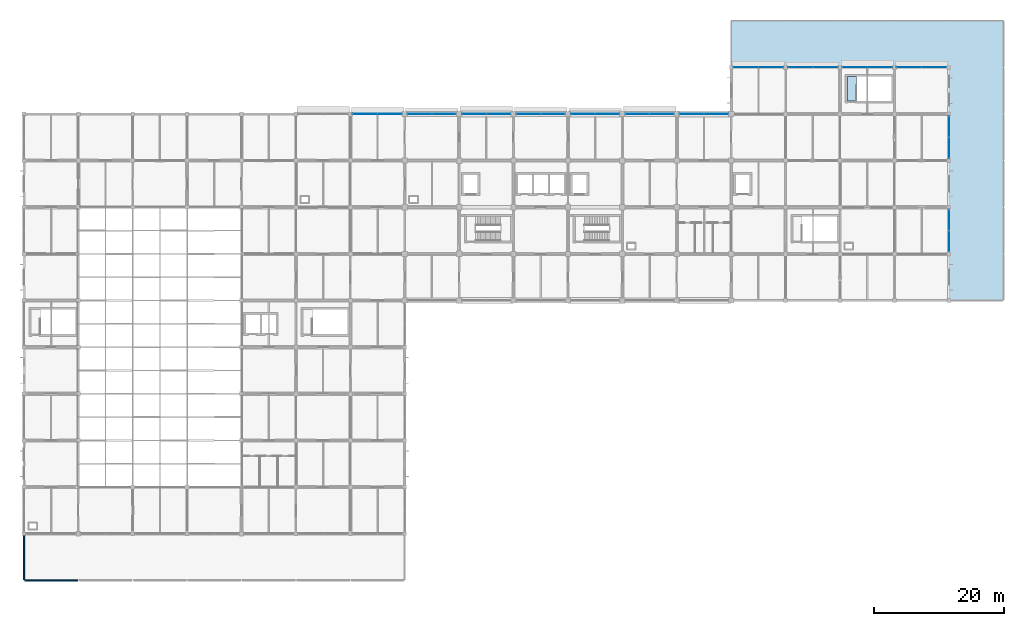
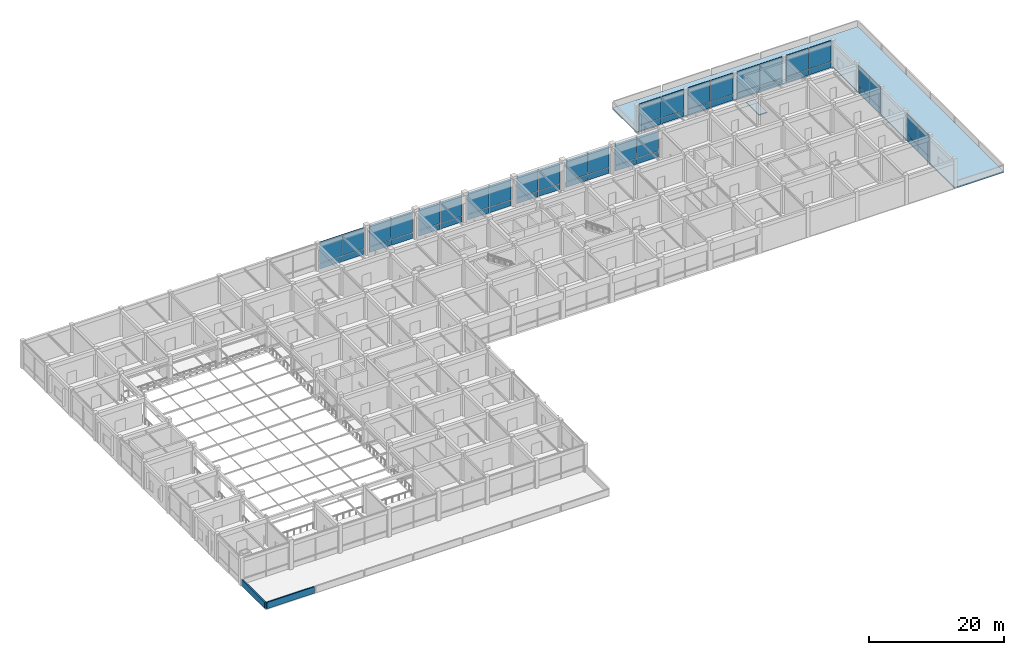
# One storey, part 22 of 38: 52 plates, 2 slabs, 2 walls, 13 elements without a shape of their own.
"""IFC4 building model written with IfcOpenShell, lengths in metres."""

from ifc_helpers import new_model, si_unit, derived_unit, direction, frame, frame_2d, origin, origin_2d, place, context, subcontext, project, spatial, polyline, rectangle, outline, extrude, material, layer, layer_set, type_object, element, aggregate, save


model = new_model("IFC4")

# Units and contexts
model_context = context("Model", 3, precision=1e-05, world=origin(), true_north=direction((0.0, 1.0)))
body_context = subcontext(model_context, "Body", "Model", "MODEL_VIEW")
ifc_project = project(units=[si_unit("LENGTHUNIT", "METRE"), si_unit("AREAUNIT", "SQUARE_METRE"), si_unit("VOLUMEUNIT", "CUBIC_METRE"), si_unit("PLANEANGLEUNIT", "RADIAN"), si_unit("MASSUNIT", "GRAM", prefix="KILO"), derived_unit("THERMALTRANSMITTANCEUNIT", [(si_unit("MASSUNIT", "GRAM", prefix="KILO"), 1), (si_unit("TIMEUNIT", "SECOND"), -3), (si_unit("THERMODYNAMICTEMPERATUREUNIT", "KELVIN"), -1)])], contexts=[model_context])

# Site, building, storey
site_placement = place(None, origin())
site = spatial("IfcSite", under=ifc_project, at=site_placement, CompositionType="ELEMENT")
building_placement = place(site_placement, origin())
building = spatial("IfcBuilding", under=site, at=building_placement, Name="Veldstrom Oceanarium and Marine Research Institute", CompositionType="ELEMENT")
storey_placement = place(building_placement, frame((0.0, 0.0, 16.800048828125)))
storey = spatial("IfcBuildingStorey", under=building, at=storey_placement, Name="L03", CompositionType="ELEMENT", Elevation=16.800048828125)

# Curtain wall, plates
ifc_material_1 = material(Name="Anodised Aluminium Framing", Category="aluminium")
curtain_wall_type_1 = type_object("IfcCurtainWallType", Name="ARC-CW-CW02", PredefinedType="USERDEFINED", material=ifc_material_1)
curtain_wall_1_placement = place(storey_placement, origin())
curtain_wall_1 = element("IfcCurtainWall", 1, at=curtain_wall_1_placement, inside=storey, type_object=curtain_wall_type_1, Name="Curtain Wall CW02 CW-L03-059", ObjectType="Curtain wall", PredefinedType="USERDEFINED")
ifc_material_2 = material(Name="Insulated Aluminium Spandrel", Category="aluminium")
ifc_layer_1 = layer(ifc_material_2, 0.044921875)
ifc_layer_set_1 = layer_set([ifc_layer_1], Name="ARC-PLT-CP02")
plate_type_1 = type_object("IfcPlateType", Name="ARC-PLT-CP02", PredefinedType="CURTAIN_PANEL", material=ifc_layer_set_1)
plate_1_placement = place(storey_placement, frame((61.044921875, 72.0, 0.02001953125), z_axis=(0.0, 0.0, 1.0), x_axis=(1.0, 0.0, 0.0)))
plate_1 = element("IfcPlate", 2, at=plate_1_placement, type_object=plate_type_1, Name="Curtain Spandrel Panel CW-L03-059-PNL-S1", PredefinedType="CURTAIN_PANEL", context=body_context, shape_type="SweptSolid", body=[
    extrude(rectangle(XDim=3.72998046875, YDim=0.044921875, at=origin_2d()), origin(), (0.0, 0.0, 1.0), 0.989990234375),
])
plate_2_placement = place(storey_placement, frame((64.85498046875, 72.0, 0.02001953125), z_axis=(0.0, 0.0, 1.0), x_axis=(1.0, 0.0, 0.0)))
plate_2 = element("IfcPlate", 3, at=plate_2_placement, type_object=plate_type_1, Name="Curtain Spandrel Panel CW-L03-059-PNL-S2", PredefinedType="CURTAIN_PANEL", context=body_context, shape_type="SweptSolid", body=[
    extrude(rectangle(XDim=3.72998046875, YDim=0.044921875, at=origin_2d()), origin(), (0.0, 0.0, 1.0), 0.989990234375),
])

curtain_wall_2_placement = place(storey_placement, origin())
curtain_wall_2 = element("IfcCurtainWall", 4, at=curtain_wall_2_placement, inside=storey, type_object=curtain_wall_type_1, Name="Curtain Wall CW02 CW-L03-061", ObjectType="Curtain wall", PredefinedType="USERDEFINED")
plate_3_placement = place(storey_placement, frame((69.513671875, 72.0, 0.02001953125), z_axis=(0.0, 0.0, 1.0), x_axis=(1.0, 0.0, 0.0)))
plate_3 = element("IfcPlate", 5, at=plate_3_placement, type_object=plate_type_1, Name="Curtain Spandrel Panel CW-L03-061-PNL-S1", PredefinedType="CURTAIN_PANEL", context=body_context, shape_type="SweptSolid", body=[
    extrude(rectangle(XDim=3.66748046875, YDim=0.044921875, at=origin_2d()), origin(), (0.0, 0.0, 1.0), 0.989990234375),
])
plate_4_placement = place(storey_placement, frame((73.26123046875, 72.0, 0.02001953125), z_axis=(0.0, 0.0, 1.0), x_axis=(1.0, 0.0, 0.0)))
plate_4 = element("IfcPlate", 6, at=plate_4_placement, type_object=plate_type_1, Name="Curtain Spandrel Panel CW-L03-061-PNL-S2", PredefinedType="CURTAIN_PANEL", context=body_context, shape_type="SweptSolid", body=[
    extrude(rectangle(XDim=3.66748046875, YDim=0.044921875, at=origin_2d()), origin(), (0.0, 0.0, 1.0), 0.989990234375),
])

curtain_wall_3_placement = place(storey_placement, origin())
curtain_wall_3 = element("IfcCurtainWall", 7, at=curtain_wall_3_placement, inside=storey, type_object=curtain_wall_type_1, Name="Curtain Wall CW02 CW-L03-063", ObjectType="Curtain wall", PredefinedType="USERDEFINED")
plate_5_placement = place(storey_placement, frame((77.938720703125, 72.0, 0.02001953125), z_axis=(0.0, 0.0, 1.0), x_axis=(1.0, 0.0, 0.0)))
plate_5 = element("IfcPlate", 8, at=plate_5_placement, type_object=plate_type_1, Name="Curtain Spandrel Panel CW-L03-063-PNL-S1", PredefinedType="CURTAIN_PANEL", context=body_context, shape_type="SweptSolid", body=[
    extrude(rectangle(XDim=3.66748046875, YDim=0.044921875, at=origin_2d()), origin(), (0.0, 0.0, 1.0), 0.989990234375),
])
plate_6_placement = place(storey_placement, frame((81.686279296875, 72.0, 0.02001953125), z_axis=(0.0, 0.0, 1.0), x_axis=(1.0, 0.0, 0.0)))
plate_6 = element("IfcPlate", 9, at=plate_6_placement, type_object=plate_type_1, Name="Curtain Spandrel Panel CW-L03-063-PNL-S2", PredefinedType="CURTAIN_PANEL", context=body_context, shape_type="SweptSolid", body=[
    extrude(rectangle(XDim=3.66748046875, YDim=0.044921875, at=origin_2d()), origin(), (0.0, 0.0, 1.0), 0.989990234375),
])

curtain_wall_4_placement = place(storey_placement, origin())
curtain_wall_4 = element("IfcCurtainWall", 10, at=curtain_wall_4_placement, inside=storey, type_object=curtain_wall_type_1, Name="Curtain Wall CW02 CW-L03-065", ObjectType="Curtain wall", PredefinedType="USERDEFINED")
plate_7_placement = place(storey_placement, frame((86.320068359375, 72.0, 0.02001953125), z_axis=(0.0, 0.0, 1.0), x_axis=(1.0, 0.0, 0.0)))
plate_7 = element("IfcPlate", 11, at=plate_7_placement, type_object=plate_type_1, Name="Curtain Spandrel Panel CW-L03-065-PNL-S1", PredefinedType="CURTAIN_PANEL", context=body_context, shape_type="SweptSolid", body=[
    extrude(rectangle(XDim=3.679931640625, YDim=0.044921875, at=origin_2d()), origin(), (0.0, 0.0, 1.0), 0.989990234375),
])
plate_8_placement = place(storey_placement, frame((90.080078125, 72.0, 0.02001953125), z_axis=(0.0, 0.0, 1.0), x_axis=(1.0, 0.0, 0.0)))
plate_8 = element("IfcPlate", 12, at=plate_8_placement, type_object=plate_type_1, Name="Curtain Spandrel Panel CW-L03-065-PNL-S2", PredefinedType="CURTAIN_PANEL", context=body_context, shape_type="SweptSolid", body=[
    extrude(rectangle(XDim=3.679931640625, YDim=0.044921875, at=origin_2d()), origin(), (0.0, 0.0, 1.0), 0.989990234375),
])

curtain_wall_5_placement = place(storey_placement, origin())
curtain_wall_5 = element("IfcCurtainWall", 13, at=curtain_wall_5_placement, inside=storey, type_object=curtain_wall_type_1, Name="Curtain Wall CW02 CW-L03-067", ObjectType="Curtain wall", PredefinedType="USERDEFINED")
plate_9_placement = place(storey_placement, frame((94.713623046875, 72.0, 0.02001953125), z_axis=(0.0, 0.0, 1.0), x_axis=(1.0, 0.0, 0.0)))
plate_9 = element("IfcPlate", 14, at=plate_9_placement, type_object=plate_type_1, Name="Curtain Spandrel Panel CW-L03-067-PNL-S1", PredefinedType="CURTAIN_PANEL", context=body_context, shape_type="SweptSolid", body=[
    extrude(rectangle(XDim=3.66748046875, YDim=0.044921875, at=origin_2d()), origin(), (0.0, 0.0, 1.0), 0.989990234375),
])
plate_10_placement = place(storey_placement, frame((98.461181640625, 72.0, 0.02001953125), z_axis=(0.0, 0.0, 1.0), x_axis=(1.0, 0.0, 0.0)))
plate_10 = element("IfcPlate", 15, at=plate_10_placement, type_object=plate_type_1, Name="Curtain Spandrel Panel CW-L03-067-PNL-S2", PredefinedType="CURTAIN_PANEL", context=body_context, shape_type="SweptSolid", body=[
    extrude(rectangle(XDim=3.66748046875, YDim=0.044921875, at=origin_2d()), origin(), (0.0, 0.0, 1.0), 0.989990234375),
])

curtain_wall_6_placement = place(storey_placement, origin())
curtain_wall_6 = element("IfcCurtainWall", 16, at=curtain_wall_6_placement, inside=storey, type_object=curtain_wall_type_1, Name="Curtain Wall CW02 CW-L03-069", ObjectType="Curtain wall", PredefinedType="USERDEFINED")
plate_11_placement = place(storey_placement, frame((103.138671875, 72.0, 0.02001953125), z_axis=(0.0, 0.0, 1.0), x_axis=(1.0, 0.0, 0.0)))
plate_11 = element("IfcPlate", 17, at=plate_11_placement, type_object=plate_type_1, Name="Curtain Spandrel Panel CW-L03-069-PNL-S1", PredefinedType="CURTAIN_PANEL", context=body_context, shape_type="SweptSolid", body=[
    extrude(rectangle(XDim=3.66748046875, YDim=0.044921875, at=origin_2d()), origin(), (0.0, 0.0, 1.0), 0.989990234375),
])
plate_12_placement = place(storey_placement, frame((106.88623046875, 72.0, 0.02001953125), z_axis=(0.0, 0.0, 1.0), x_axis=(1.0, 0.0, 0.0)))
plate_12 = element("IfcPlate", 18, at=plate_12_placement, type_object=plate_type_1, Name="Curtain Spandrel Panel CW-L03-069-PNL-S2", PredefinedType="CURTAIN_PANEL", context=body_context, shape_type="SweptSolid", body=[
    extrude(rectangle(XDim=3.66748046875, YDim=0.044921875, at=origin_2d()), origin(), (0.0, 0.0, 1.0), 0.989990234375),
])

curtain_wall_7_placement = place(storey_placement, origin())
curtain_wall_7 = element("IfcCurtainWall", 19, at=curtain_wall_7_placement, inside=storey, type_object=curtain_wall_type_1, Name="Curtain Wall CW02 CW-L03-071", ObjectType="Curtain wall", PredefinedType="USERDEFINED")
plate_13_placement = place(storey_placement, frame((111.52001953125, 72.0, 0.02001953125), z_axis=(0.0, 0.0, 1.0), x_axis=(1.0, 0.0, 0.0)))
plate_13 = element("IfcPlate", 20, at=plate_13_placement, type_object=plate_type_1, Name="Curtain Spandrel Panel CW-L03-071-PNL-S1", PredefinedType="CURTAIN_PANEL", context=body_context, shape_type="SweptSolid", body=[
    extrude(rectangle(XDim=3.679931640625, YDim=0.044921875, at=origin_2d()), origin(), (0.0, 0.0, 1.0), 0.989990234375),
])
plate_14_placement = place(storey_placement, frame((115.280029296875, 72.0, 0.02001953125), z_axis=(0.0, 0.0, 1.0), x_axis=(1.0, 0.0, 0.0)))
plate_14 = element("IfcPlate", 21, at=plate_14_placement, type_object=plate_type_1, Name="Curtain Spandrel Panel CW-L03-071-PNL-S2", PredefinedType="CURTAIN_PANEL", context=body_context, shape_type="SweptSolid", body=[
    extrude(rectangle(XDim=3.679931640625, YDim=0.044921875, at=origin_2d()), origin(), (0.0, 0.0, 1.0), 0.989990234375),
])

curtain_wall_8_placement = place(storey_placement, origin())
curtain_wall_8 = element("IfcCurtainWall", 22, at=curtain_wall_8_placement, inside=storey, type_object=curtain_wall_type_1, Name="Curtain Wall CW02 CW-L03-072", ObjectType="Curtain wall", PredefinedType="USERDEFINED")
plate_15_placement = place(storey_placement, frame((119.8701171875, 79.199951171875, 0.02001953125), z_axis=(0.0, 0.0, 1.0), x_axis=(1.0, 0.0, 0.0)))
plate_15 = element("IfcPlate", 23, at=plate_15_placement, type_object=plate_type_1, Name="Curtain Spandrel Panel CW-L03-072-PNL-S1", PredefinedType="CURTAIN_PANEL", context=body_context, shape_type="SweptSolid", body=[
    extrude(rectangle(XDim=3.780029296875, YDim=0.044921875, at=origin_2d()), origin(), (0.0, 0.0, 1.0), 0.989990234375),
])
plate_16_placement = place(storey_placement, frame((123.72998046875, 79.199951171875, 0.02001953125), z_axis=(0.0, 0.0, 1.0), x_axis=(1.0, 0.0, 0.0)))
plate_16 = element("IfcPlate", 24, at=plate_16_placement, type_object=plate_type_1, Name="Curtain Spandrel Panel CW-L03-072-PNL-S2", PredefinedType="CURTAIN_PANEL", context=body_context, shape_type="SweptSolid", body=[
    extrude(rectangle(XDim=3.780029296875, YDim=0.044921875, at=origin_2d()), origin(), (0.0, 0.0, 1.0), 0.989990234375),
])

curtain_wall_9_placement = place(storey_placement, origin())
curtain_wall_9 = element("IfcCurtainWall", 25, at=curtain_wall_9_placement, inside=storey, type_object=curtain_wall_type_1, Name="Curtain Wall CW02 CW-L03-073", ObjectType="Curtain wall", PredefinedType="USERDEFINED")
plate_17_placement = place(storey_placement, frame((128.27001953125, 79.199951171875, 0.02001953125), z_axis=(0.0, 0.0, 1.0), x_axis=(1.0, 0.0, 0.0)))
plate_17 = element("IfcPlate", 26, at=plate_17_placement, type_object=plate_type_1, Name="Curtain Spandrel Panel CW-L03-073-PNL-S1", PredefinedType="CURTAIN_PANEL", context=body_context, shape_type="SweptSolid", body=[
    extrude(rectangle(XDim=3.780029296875, YDim=0.044921875, at=origin_2d()), origin(), (0.0, 0.0, 1.0), 0.989990234375),
])
plate_18_placement = place(storey_placement, frame((132.1298828125, 79.199951171875, 0.02001953125), z_axis=(0.0, 0.0, 1.0), x_axis=(1.0, 0.0, 0.0)))
plate_18 = element("IfcPlate", 27, at=plate_18_placement, type_object=plate_type_1, Name="Curtain Spandrel Panel CW-L03-073-PNL-S2", PredefinedType="CURTAIN_PANEL", context=body_context, shape_type="SweptSolid", body=[
    extrude(rectangle(XDim=3.780029296875, YDim=0.044921875, at=origin_2d()), origin(), (0.0, 0.0, 1.0), 0.989990234375),
])

curtain_wall_10_placement = place(storey_placement, origin())
curtain_wall_10 = element("IfcCurtainWall", 28, at=curtain_wall_10_placement, inside=storey, type_object=curtain_wall_type_1, Name="Curtain Wall CW02 CW-L03-074", ObjectType="Curtain wall", PredefinedType="USERDEFINED")
plate_19_placement = place(storey_placement, frame((136.669921875, 79.199951171875, 0.02001953125), z_axis=(0.0, 0.0, 1.0), x_axis=(1.0, 0.0, 0.0)))
plate_19 = element("IfcPlate", 29, at=plate_19_placement, type_object=plate_type_1, Name="Curtain Spandrel Panel CW-L03-074-PNL-S1", PredefinedType="CURTAIN_PANEL", context=body_context, shape_type="SweptSolid", body=[
    extrude(rectangle(XDim=3.780029296875, YDim=0.044921875, at=origin_2d()), origin(), (0.0, 0.0, 1.0), 0.989990234375),
])
plate_20_placement = place(storey_placement, frame((140.530029296875, 79.199951171875, 0.02001953125), z_axis=(0.0, 0.0, 1.0), x_axis=(1.0, 0.0, 0.0)))
plate_20 = element("IfcPlate", 30, at=plate_20_placement, type_object=plate_type_1, Name="Curtain Spandrel Panel CW-L03-074-PNL-S2", PredefinedType="CURTAIN_PANEL", context=body_context, shape_type="SweptSolid", body=[
    extrude(rectangle(XDim=3.780029296875, YDim=0.044921875, at=origin_2d()), origin(), (0.0, 0.0, 1.0), 0.989990234375),
])

curtain_wall_11_placement = place(storey_placement, origin())
curtain_wall_11 = element("IfcCurtainWall", 31, at=curtain_wall_11_placement, inside=storey, type_object=curtain_wall_type_1, Name="Curtain Wall CW02 CW-L03-077", ObjectType="Curtain wall", PredefinedType="USERDEFINED")
plate_21_placement = place(storey_placement, frame((145.070068359375, 79.199951171875, 0.02001953125), z_axis=(0.0, 0.0, 1.0), x_axis=(1.0, 0.0, 0.0)))
plate_21 = element("IfcPlate", 32, at=plate_21_placement, type_object=plate_type_1, Name="Curtain Spandrel Panel CW-L03-077-PNL-S1", PredefinedType="CURTAIN_PANEL", context=body_context, shape_type="SweptSolid", body=[
    extrude(rectangle(XDim=3.780029296875, YDim=0.044921875, at=origin_2d()), origin(), (0.0, 0.0, 1.0), 0.989990234375),
])
plate_22_placement = place(storey_placement, frame((148.929931640625, 79.199951171875, 0.02001953125), z_axis=(0.0, 0.0, 1.0), x_axis=(1.0, 0.0, 0.0)))
plate_22 = element("IfcPlate", 33, at=plate_22_placement, type_object=plate_type_1, Name="Curtain Spandrel Panel CW-L03-077-PNL-S2", PredefinedType="CURTAIN_PANEL", context=body_context, shape_type="SweptSolid", body=[
    extrude(rectangle(XDim=3.780029296875, YDim=0.044921875, at=origin_2d()), origin(), (0.0, 0.0, 1.0), 0.989990234375),
])

ifc_material_3 = material(Name="Anodised Aluminium Framing", Category="aluminium")
curtain_wall_type_2 = type_object("IfcCurtainWallType", Name="ARC-CW-CW06", PredefinedType="USERDEFINED", material=ifc_material_3)
curtain_wall_12_placement = place(storey_placement, origin())
curtain_wall_12 = element("IfcCurtainWall", 34, at=curtain_wall_12_placement, inside=storey, type_object=curtain_wall_type_2, Name="Curtain Wall CW06 CW-L03-075", ObjectType="Curtain wall", PredefinedType="USERDEFINED")
ifc_material_4 = material(Name="Insulated Aluminium Spandrel", Category="aluminium")
ifc_layer_2 = layer(ifc_material_4, 0.044921875)
ifc_layer_set_2 = layer_set([ifc_layer_2], Name="ARC-PLT-CP06")
plate_type_2 = type_object("IfcPlateType", Name="ARC-PLT-CP06", PredefinedType="CURTAIN_PANEL", material=ifc_layer_set_2)
plate_23_placement = place(storey_placement, frame((151.199951171875, 52.3701171875, 0.02001953125), z_axis=(0.0, 0.0, 1.0), x_axis=(0.0, 1.0, 0.0)))
plate_23 = element("IfcPlate", 35, at=plate_23_placement, type_object=plate_type_2, Name="Curtain Spandrel Panel CW-L03-075-PNL-S1", PredefinedType="CURTAIN_PANEL", context=body_context, shape_type="SweptSolid", body=[
    extrude(rectangle(XDim=3.179931640625, YDim=0.044921875, at=origin_2d()), origin(), (0.0, 0.0, 1.0), 0.989990234375),
])
plate_24_placement = place(storey_placement, frame((151.199951171875, 55.6298828125, 0.02001953125), z_axis=(0.0, 0.0, 1.0), x_axis=(0.0, 1.0, 0.0)))
plate_24 = element("IfcPlate", 36, at=plate_24_placement, type_object=plate_type_2, Name="Curtain Spandrel Panel CW-L03-075-PNL-S2", PredefinedType="CURTAIN_PANEL", context=body_context, shape_type="SweptSolid", body=[
    extrude(rectangle(XDim=3.179931640625, YDim=0.044921875, at=origin_2d()), origin(), (0.0, 0.0, 1.0), 0.989990234375),
])

curtain_wall_13_placement = place(storey_placement, origin())
curtain_wall_13 = element("IfcCurtainWall", 37, at=curtain_wall_13_placement, inside=storey, type_object=curtain_wall_type_2, Name="Curtain Wall CW06 CW-L03-076", ObjectType="Curtain wall", PredefinedType="USERDEFINED")
plate_25_placement = place(storey_placement, frame((151.199951171875, 66.77001953125, 0.02001953125), z_axis=(0.0, 0.0, 1.0), x_axis=(0.0, 1.0, 0.0)))
plate_25 = element("IfcPlate", 38, at=plate_25_placement, type_object=plate_type_2, Name="Curtain Spandrel Panel CW-L03-076-PNL-S1", PredefinedType="CURTAIN_PANEL", context=body_context, shape_type="SweptSolid", body=[
    extrude(rectangle(XDim=3.179931640625, YDim=0.044921875, at=origin_2d()), origin(), (0.0, 0.0, 1.0), 0.989990234375),
])
plate_26_placement = place(storey_placement, frame((151.199951171875, 70.030029296875, 0.02001953125), z_axis=(0.0, 0.0, 1.0), x_axis=(0.0, 1.0, 0.0)))
plate_26 = element("IfcPlate", 39, at=plate_26_placement, type_object=plate_type_2, Name="Curtain Spandrel Panel CW-L03-076-PNL-S2", PredefinedType="CURTAIN_PANEL", context=body_context, shape_type="SweptSolid", body=[
    extrude(rectangle(XDim=3.179931640625, YDim=0.044921875, at=origin_2d()), origin(), (0.0, 0.0, 1.0), 0.989990234375),
])

# Plate
ifc_material_5 = material(Name="Double Glazed Low-E IGU", Category="glass")
ifc_layer_3 = layer(ifc_material_5, 0.035888671875)
ifc_layer_set_3 = layer_set([ifc_layer_3], Name="ARC-PLT-CP09")
plate_type_3 = type_object("IfcPlateType", Name="ARC-PLT-CP09", PredefinedType="CURTAIN_PANEL", material=ifc_layer_set_3)
plate_27_placement = place(storey_placement, frame((61.044921875, 72.0, 1.08984375), z_axis=(0.0, 0.0, 1.0), x_axis=(1.0, 0.0, 0.0)))
plate_27 = element("IfcPlate", 40, at=plate_27_placement, type_object=plate_type_3, Name="Curtain Vision Panel CW-L03-059-PNL-V1", PredefinedType="CURTAIN_PANEL", context=body_context, shape_type="SweptSolid", body=[
    extrude(rectangle(XDim=3.72998046875, YDim=0.035888671875, at=origin_2d()), origin(), (0.0, 0.0, 1.0), 3.840087890625),
])

plate_28_placement = place(storey_placement, frame((64.85498046875, 72.0, 1.08984375), z_axis=(0.0, 0.0, 1.0), x_axis=(1.0, 0.0, 0.0)))
plate_28 = element("IfcPlate", 41, at=plate_28_placement, type_object=plate_type_3, Name="Curtain Vision Panel CW-L03-059-PNL-V2", PredefinedType="CURTAIN_PANEL", context=body_context, shape_type="SweptSolid", body=[
    extrude(rectangle(XDim=3.72998046875, YDim=0.035888671875, at=origin_2d()), origin(), (0.0, 0.0, 1.0), 3.840087890625),
])

aggregate(curtain_wall_1, [plate_1, plate_27, plate_2, plate_28])

plate_29_placement = place(storey_placement, frame((69.513671875, 72.0, 1.08984375), z_axis=(0.0, 0.0, 1.0), x_axis=(1.0, 0.0, 0.0)))
plate_29 = element("IfcPlate", 42, at=plate_29_placement, type_object=plate_type_3, Name="Curtain Vision Panel CW-L03-061-PNL-V1", PredefinedType="CURTAIN_PANEL", context=body_context, shape_type="SweptSolid", body=[
    extrude(rectangle(XDim=3.66748046875, YDim=0.035888671875, at=origin_2d()), origin(), (0.0, 0.0, 1.0), 3.840087890625),
])

plate_30_placement = place(storey_placement, frame((73.26123046875, 72.0, 1.08984375), z_axis=(0.0, 0.0, 1.0), x_axis=(1.0, 0.0, 0.0)))
plate_30 = element("IfcPlate", 43, at=plate_30_placement, type_object=plate_type_3, Name="Curtain Vision Panel CW-L03-061-PNL-V2", PredefinedType="CURTAIN_PANEL", context=body_context, shape_type="SweptSolid", body=[
    extrude(rectangle(XDim=3.66748046875, YDim=0.035888671875, at=origin_2d()), origin(), (0.0, 0.0, 1.0), 3.840087890625),
])

aggregate(curtain_wall_2, [plate_3, plate_29, plate_4, plate_30])

plate_31_placement = place(storey_placement, frame((77.938720703125, 72.0, 1.08984375), z_axis=(0.0, 0.0, 1.0), x_axis=(1.0, 0.0, 0.0)))
plate_31 = element("IfcPlate", 44, at=plate_31_placement, type_object=plate_type_3, Name="Curtain Vision Panel CW-L03-063-PNL-V1", PredefinedType="CURTAIN_PANEL", context=body_context, shape_type="SweptSolid", body=[
    extrude(rectangle(XDim=3.66748046875, YDim=0.035888671875, at=origin_2d()), origin(), (0.0, 0.0, 1.0), 3.840087890625),
])

plate_32_placement = place(storey_placement, frame((81.686279296875, 72.0, 1.08984375), z_axis=(0.0, 0.0, 1.0), x_axis=(1.0, 0.0, 0.0)))
plate_32 = element("IfcPlate", 45, at=plate_32_placement, type_object=plate_type_3, Name="Curtain Vision Panel CW-L03-063-PNL-V2", PredefinedType="CURTAIN_PANEL", context=body_context, shape_type="SweptSolid", body=[
    extrude(rectangle(XDim=3.66748046875, YDim=0.035888671875, at=origin_2d()), origin(), (0.0, 0.0, 1.0), 3.840087890625),
])

aggregate(curtain_wall_3, [plate_5, plate_31, plate_6, plate_32])

plate_33_placement = place(storey_placement, frame((86.320068359375, 72.0, 1.08984375), z_axis=(0.0, 0.0, 1.0), x_axis=(1.0, 0.0, 0.0)))
plate_33 = element("IfcPlate", 46, at=plate_33_placement, type_object=plate_type_3, Name="Curtain Vision Panel CW-L03-065-PNL-V1", PredefinedType="CURTAIN_PANEL", context=body_context, shape_type="SweptSolid", body=[
    extrude(rectangle(XDim=3.679931640625, YDim=0.035888671875, at=origin_2d()), origin(), (0.0, 0.0, 1.0), 3.840087890625),
])

plate_34_placement = place(storey_placement, frame((90.080078125, 72.0, 1.08984375), z_axis=(0.0, 0.0, 1.0), x_axis=(1.0, 0.0, 0.0)))
plate_34 = element("IfcPlate", 47, at=plate_34_placement, type_object=plate_type_3, Name="Curtain Vision Panel CW-L03-065-PNL-V2", PredefinedType="CURTAIN_PANEL", context=body_context, shape_type="SweptSolid", body=[
    extrude(rectangle(XDim=3.679931640625, YDim=0.035888671875, at=origin_2d()), origin(), (0.0, 0.0, 1.0), 3.840087890625),
])

aggregate(curtain_wall_4, [plate_7, plate_33, plate_8, plate_34])

plate_35_placement = place(storey_placement, frame((94.713623046875, 72.0, 1.08984375), z_axis=(0.0, 0.0, 1.0), x_axis=(1.0, 0.0, 0.0)))
plate_35 = element("IfcPlate", 48, at=plate_35_placement, type_object=plate_type_3, Name="Curtain Vision Panel CW-L03-067-PNL-V1", PredefinedType="CURTAIN_PANEL", context=body_context, shape_type="SweptSolid", body=[
    extrude(rectangle(XDim=3.66748046875, YDim=0.035888671875, at=origin_2d()), origin(), (0.0, 0.0, 1.0), 3.840087890625),
])

plate_36_placement = place(storey_placement, frame((98.461181640625, 72.0, 1.08984375), z_axis=(0.0, 0.0, 1.0), x_axis=(1.0, 0.0, 0.0)))
plate_36 = element("IfcPlate", 49, at=plate_36_placement, type_object=plate_type_3, Name="Curtain Vision Panel CW-L03-067-PNL-V2", PredefinedType="CURTAIN_PANEL", context=body_context, shape_type="SweptSolid", body=[
    extrude(rectangle(XDim=3.66748046875, YDim=0.035888671875, at=origin_2d()), origin(), (0.0, 0.0, 1.0), 3.840087890625),
])

aggregate(curtain_wall_5, [plate_9, plate_35, plate_10, plate_36])

plate_37_placement = place(storey_placement, frame((103.138671875, 72.0, 1.08984375), z_axis=(0.0, 0.0, 1.0), x_axis=(1.0, 0.0, 0.0)))
plate_37 = element("IfcPlate", 50, at=plate_37_placement, type_object=plate_type_3, Name="Curtain Vision Panel CW-L03-069-PNL-V1", PredefinedType="CURTAIN_PANEL", context=body_context, shape_type="SweptSolid", body=[
    extrude(rectangle(XDim=3.66748046875, YDim=0.035888671875, at=origin_2d()), origin(), (0.0, 0.0, 1.0), 3.840087890625),
])

plate_38_placement = place(storey_placement, frame((106.88623046875, 72.0, 1.08984375), z_axis=(0.0, 0.0, 1.0), x_axis=(1.0, 0.0, 0.0)))
plate_38 = element("IfcPlate", 51, at=plate_38_placement, type_object=plate_type_3, Name="Curtain Vision Panel CW-L03-069-PNL-V2", PredefinedType="CURTAIN_PANEL", context=body_context, shape_type="SweptSolid", body=[
    extrude(rectangle(XDim=3.66748046875, YDim=0.035888671875, at=origin_2d()), origin(), (0.0, 0.0, 1.0), 3.840087890625),
])

aggregate(curtain_wall_6, [plate_11, plate_37, plate_12, plate_38])

plate_39_placement = place(storey_placement, frame((111.52001953125, 72.0, 1.08984375), z_axis=(0.0, 0.0, 1.0), x_axis=(1.0, 0.0, 0.0)))
plate_39 = element("IfcPlate", 52, at=plate_39_placement, type_object=plate_type_3, Name="Curtain Vision Panel CW-L03-071-PNL-V1", PredefinedType="CURTAIN_PANEL", context=body_context, shape_type="SweptSolid", body=[
    extrude(rectangle(XDim=3.679931640625, YDim=0.035888671875, at=origin_2d()), origin(), (0.0, 0.0, 1.0), 3.840087890625),
])

plate_40_placement = place(storey_placement, frame((115.280029296875, 72.0, 1.08984375), z_axis=(0.0, 0.0, 1.0), x_axis=(1.0, 0.0, 0.0)))
plate_40 = element("IfcPlate", 53, at=plate_40_placement, type_object=plate_type_3, Name="Curtain Vision Panel CW-L03-071-PNL-V2", PredefinedType="CURTAIN_PANEL", context=body_context, shape_type="SweptSolid", body=[
    extrude(rectangle(XDim=3.679931640625, YDim=0.035888671875, at=origin_2d()), origin(), (0.0, 0.0, 1.0), 3.840087890625),
])

aggregate(curtain_wall_7, [plate_13, plate_39, plate_14, plate_40])

plate_41_placement = place(storey_placement, frame((119.8701171875, 79.199951171875, 1.08984375), z_axis=(0.0, 0.0, 1.0), x_axis=(1.0, 0.0, 0.0)))
plate_41 = element("IfcPlate", 54, at=plate_41_placement, type_object=plate_type_3, Name="Curtain Vision Panel CW-L03-072-PNL-V1", PredefinedType="CURTAIN_PANEL", context=body_context, shape_type="SweptSolid", body=[
    extrude(rectangle(XDim=3.780029296875, YDim=0.035888671875, at=origin_2d()), origin(), (0.0, 0.0, 1.0), 3.840087890625),
])

plate_42_placement = place(storey_placement, frame((123.72998046875, 79.199951171875, 1.08984375), z_axis=(0.0, 0.0, 1.0), x_axis=(1.0, 0.0, 0.0)))
plate_42 = element("IfcPlate", 55, at=plate_42_placement, type_object=plate_type_3, Name="Curtain Vision Panel CW-L03-072-PNL-V2", PredefinedType="CURTAIN_PANEL", context=body_context, shape_type="SweptSolid", body=[
    extrude(rectangle(XDim=3.780029296875, YDim=0.035888671875, at=origin_2d()), origin(), (0.0, 0.0, 1.0), 3.840087890625),
])

aggregate(curtain_wall_8, [plate_15, plate_41, plate_16, plate_42])

plate_43_placement = place(storey_placement, frame((128.27001953125, 79.199951171875, 1.08984375), z_axis=(0.0, 0.0, 1.0), x_axis=(1.0, 0.0, 0.0)))
plate_43 = element("IfcPlate", 56, at=plate_43_placement, type_object=plate_type_3, Name="Curtain Vision Panel CW-L03-073-PNL-V1", PredefinedType="CURTAIN_PANEL", context=body_context, shape_type="SweptSolid", body=[
    extrude(rectangle(XDim=3.780029296875, YDim=0.035888671875, at=origin_2d()), origin(), (0.0, 0.0, 1.0), 3.840087890625),
])

plate_44_placement = place(storey_placement, frame((132.1298828125, 79.199951171875, 1.08984375), z_axis=(0.0, 0.0, 1.0), x_axis=(1.0, 0.0, 0.0)))
plate_44 = element("IfcPlate", 57, at=plate_44_placement, type_object=plate_type_3, Name="Curtain Vision Panel CW-L03-073-PNL-V2", PredefinedType="CURTAIN_PANEL", context=body_context, shape_type="SweptSolid", body=[
    extrude(rectangle(XDim=3.780029296875, YDim=0.035888671875, at=origin_2d()), origin(), (0.0, 0.0, 1.0), 3.840087890625),
])

aggregate(curtain_wall_9, [plate_17, plate_43, plate_18, plate_44])

plate_45_placement = place(storey_placement, frame((136.669921875, 79.199951171875, 1.08984375), z_axis=(0.0, 0.0, 1.0), x_axis=(1.0, 0.0, 0.0)))
plate_45 = element("IfcPlate", 58, at=plate_45_placement, type_object=plate_type_3, Name="Curtain Vision Panel CW-L03-074-PNL-V1", PredefinedType="CURTAIN_PANEL", context=body_context, shape_type="SweptSolid", body=[
    extrude(rectangle(XDim=3.780029296875, YDim=0.035888671875, at=origin_2d()), origin(), (0.0, 0.0, 1.0), 3.840087890625),
])

plate_46_placement = place(storey_placement, frame((140.530029296875, 79.199951171875, 1.08984375), z_axis=(0.0, 0.0, 1.0), x_axis=(1.0, 0.0, 0.0)))
plate_46 = element("IfcPlate", 59, at=plate_46_placement, type_object=plate_type_3, Name="Curtain Vision Panel CW-L03-074-PNL-V2", PredefinedType="CURTAIN_PANEL", context=body_context, shape_type="SweptSolid", body=[
    extrude(rectangle(XDim=3.780029296875, YDim=0.035888671875, at=origin_2d()), origin(), (0.0, 0.0, 1.0), 3.840087890625),
])

aggregate(curtain_wall_10, [plate_19, plate_45, plate_20, plate_46])

plate_47_placement = place(storey_placement, frame((145.070068359375, 79.199951171875, 1.08984375), z_axis=(0.0, 0.0, 1.0), x_axis=(1.0, 0.0, 0.0)))
plate_47 = element("IfcPlate", 60, at=plate_47_placement, type_object=plate_type_3, Name="Curtain Vision Panel CW-L03-077-PNL-V1", PredefinedType="CURTAIN_PANEL", context=body_context, shape_type="SweptSolid", body=[
    extrude(rectangle(XDim=3.780029296875, YDim=0.035888671875, at=origin_2d()), origin(), (0.0, 0.0, 1.0), 3.840087890625),
])

plate_48_placement = place(storey_placement, frame((148.929931640625, 79.199951171875, 1.08984375), z_axis=(0.0, 0.0, 1.0), x_axis=(1.0, 0.0, 0.0)))
plate_48 = element("IfcPlate", 61, at=plate_48_placement, type_object=plate_type_3, Name="Curtain Vision Panel CW-L03-077-PNL-V2", PredefinedType="CURTAIN_PANEL", context=body_context, shape_type="SweptSolid", body=[
    extrude(rectangle(XDim=3.780029296875, YDim=0.035888671875, at=origin_2d()), origin(), (0.0, 0.0, 1.0), 3.840087890625),
])

aggregate(curtain_wall_11, [plate_21, plate_47, plate_22, plate_48])

ifc_material_6 = material(Name="Double Glazed Low-E IGU", Category="glass")
ifc_layer_4 = layer(ifc_material_6, 0.035888671875)
ifc_layer_set_4 = layer_set([ifc_layer_4], Name="ARC-PLT-CP10")
plate_type_4 = type_object("IfcPlateType", Name="ARC-PLT-CP10", PredefinedType="CURTAIN_PANEL", material=ifc_layer_set_4)
plate_49_placement = place(storey_placement, frame((151.199951171875, 52.3701171875, 1.08984375), z_axis=(0.0, 0.0, 1.0), x_axis=(0.0, 1.0, 0.0)))
plate_49 = element("IfcPlate", 62, at=plate_49_placement, type_object=plate_type_4, Name="Curtain Vision Panel CW-L03-075-PNL-V1", PredefinedType="CURTAIN_PANEL", context=body_context, shape_type="SweptSolid", body=[
    extrude(rectangle(XDim=3.179931640625, YDim=0.035888671875, at=origin_2d()), origin(), (0.0, 0.0, 1.0), 3.840087890625),
])

plate_50_placement = place(storey_placement, frame((151.199951171875, 55.6298828125, 1.08984375), z_axis=(0.0, 0.0, 1.0), x_axis=(0.0, 1.0, 0.0)))
plate_50 = element("IfcPlate", 63, at=plate_50_placement, type_object=plate_type_4, Name="Curtain Vision Panel CW-L03-075-PNL-V2", PredefinedType="CURTAIN_PANEL", context=body_context, shape_type="SweptSolid", body=[
    extrude(rectangle(XDim=3.179931640625, YDim=0.035888671875, at=origin_2d()), origin(), (0.0, 0.0, 1.0), 3.840087890625),
])

aggregate(curtain_wall_12, [plate_23, plate_49, plate_24, plate_50])

plate_51_placement = place(storey_placement, frame((151.199951171875, 66.77001953125, 1.08984375), z_axis=(0.0, 0.0, 1.0), x_axis=(0.0, 1.0, 0.0)))
plate_51 = element("IfcPlate", 64, at=plate_51_placement, type_object=plate_type_4, Name="Curtain Vision Panel CW-L03-076-PNL-V1", PredefinedType="CURTAIN_PANEL", context=body_context, shape_type="SweptSolid", body=[
    extrude(rectangle(XDim=3.179931640625, YDim=0.035888671875, at=origin_2d()), origin(), (0.0, 0.0, 1.0), 3.840087890625),
])

plate_52_placement = place(storey_placement, frame((151.199951171875, 70.030029296875, 1.08984375), z_axis=(0.0, 0.0, 1.0), x_axis=(0.0, 1.0, 0.0)))
plate_52 = element("IfcPlate", 65, at=plate_52_placement, type_object=plate_type_4, Name="Curtain Vision Panel CW-L03-076-PNL-V2", PredefinedType="CURTAIN_PANEL", context=body_context, shape_type="SweptSolid", body=[
    extrude(rectangle(XDim=3.179931640625, YDim=0.035888671875, at=origin_2d()), origin(), (0.0, 0.0, 1.0), 3.840087890625),
])

aggregate(curtain_wall_13, [plate_25, plate_51, plate_26, plate_52])

# Slabs
ifc_material_7 = material(Name="Concrete C40/50", Category="concrete")
ifc_layer_5 = layer(ifc_material_7, 0.199951171875)
ifc_layer_set_5 = layer_set([ifc_layer_5], Name="STR-SLB-LD200")
slab_type_1 = type_object("IfcSlabType", Name="STR-SLB-LD200", PredefinedType="LANDING", material=ifc_layer_set_5)
slab_1_placement = place(storey_placement, frame((0.0, 0.0, -0.199951171875)))
element("IfcSlab", 66, at=slab_1_placement, inside=storey, type_object=slab_type_1, Name="Stair Floor Landing ST7 L03", PredefinedType="LANDING", context=body_context, shape_type="SweptSolid", body=[
    extrude(outline(polyline([(135.52001953125, 74.0), (136.93994140625, 74.0), (136.93994140625, 77.800048828125), (135.52001953125, 77.800048828125), (135.52001953125, 74.0)])), origin(), (0.0, 0.0, 1.0), 0.199951171875),
])
ifc_material_8 = material(Name="Concrete C40/50", Category="concrete")
ifc_layer_6 = layer(ifc_material_8, 0.22509765625)
ifc_layer_set_6 = layer_set([ifc_layer_6], Name="STR-SLB-RF0225")
slab_type_2 = type_object("IfcSlabType", Name="STR-SLB-RF0225", PredefinedType="ROOF", material=ifc_layer_set_6)
slab_2_placement = place(storey_placement, frame((0.0, 0.0, -0.22509765625)))
element("IfcSlab", 67, at=slab_2_placement, inside=storey, type_object=slab_type_2, Name="Maintenance Roof Slab L02", PredefinedType="ROOF", context=body_context, shape_type="SweptSolid", body=[
    extrude(outline(polyline([(117.60009765625, 79.199951171875), (117.60009765625, 86.39990234375), (126.0, 86.39990234375), (134.39990234375, 86.39990234375), (142.800048828125, 86.39990234375), (151.199951171875, 86.39990234375), (159.60009765625, 86.39990234375), (159.60009765625, 79.199951171875), (159.60009765625, 72.0), (159.60009765625, 64.800048828125), (159.60009765625, 57.60009765625), (159.60009765625, 50.39990234375), (159.60009765625, 43.199951171875), (151.199951171875, 43.199951171875), (151.199951171875, 50.39990234375), (151.199951171875, 57.60009765625), (151.199951171875, 64.800048828125), (151.199951171875, 72.0), (151.199951171875, 79.199951171875), (142.800048828125, 79.199951171875), (134.39990234375, 79.199951171875), (126.0, 79.199951171875), (117.60009765625, 79.199951171875)])), origin(), (0.0, 0.0, 1.0), 0.22509765625),
])

# Walls
ifc_material_9 = material(Name="Masonry Cavity Wall", Category="masonry")
ifc_layer_7 = layer(ifc_material_9, 0.219970703125)
ifc_layer_set_7 = layer_set([ifc_layer_7], Name="ARC-WAL-PR1")
wall_type = type_object("IfcWallType", Name="ARC-WAL-PR1", PredefinedType="PARAPET", material=ifc_layer_set_7)
wall_1_placement = place(storey_placement, frame((8.52001953125, 0.0, 0.0), z_axis=(0.0, 0.0, 1.0), x_axis=(1.0, 0.0, 0.0)))
element("IfcWall", 68, at=wall_1_placement, inside=storey, type_object=wall_type, Name="Roof Parapet Wall L02-047", PredefinedType="PARAPET", context=body_context, shape_type="SweptSolid", body=[
    extrude(rectangle(XDim=8.159912109375, YDim=0.219970703125, at=frame_2d((4.080078125, 0.0))), origin(), (0.0, 0.0, 1.0), 1.14990234375),
])
wall_2_placement = place(storey_placement, frame((8.39990234375, 0.1201171875, 0.0), z_axis=(0.0, 0.0, 1.0), x_axis=(0.0, 1.0, 0.0)))
element("IfcWall", 69, at=wall_2_placement, inside=storey, type_object=wall_type, Name="Roof Parapet Wall L02-048", PredefinedType="PARAPET", context=body_context, shape_type="SweptSolid", body=[
    extrude(rectangle(XDim=6.9599609375, YDim=0.219970703125, at=frame_2d((3.47998046875, 0.0))), origin(), (0.0, 0.0, 1.0), 1.14990234375),
])

save(model, "model.ifc")
